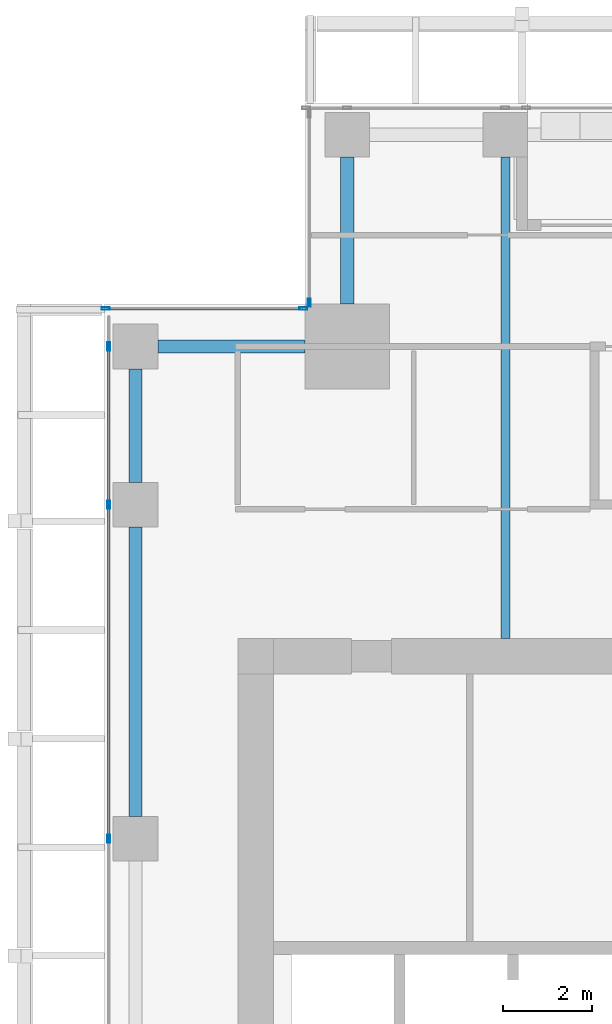
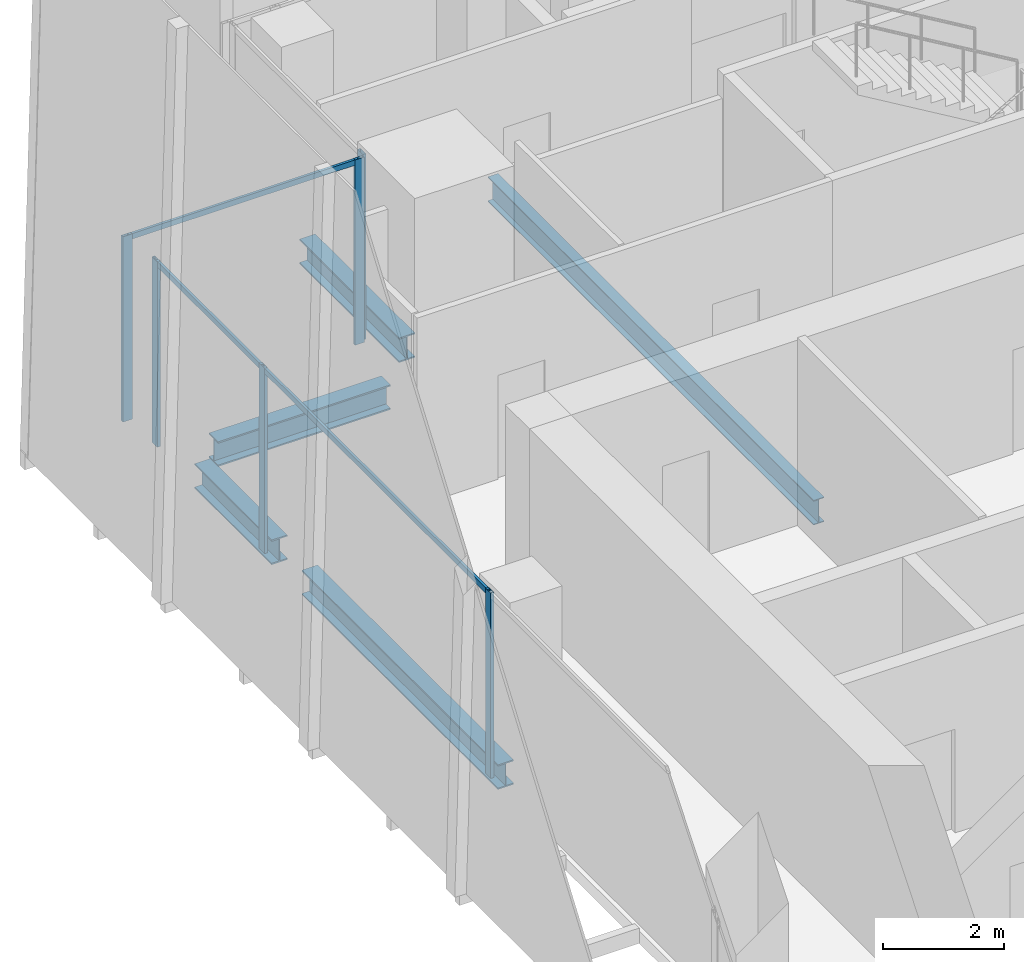
# One storey, part 14 of 35: 9 members, 5 beams, 3 elements without a shape of their own.
"""IFC4 building model written with IfcOpenShell, lengths in metres."""

import ifcopenshell
import ifcopenshell.guid

model = None  # the IFC model being written
_history = None  # IfcOwnerHistory: only IFC2X3 demands one
_inside = {}  # id of a spatial element -> (the spatial element, [elements in it])
_under = {}  # id of a project, library or spatial element -> (it, [spatial elements below it])
_declared = {}  # id of a project -> (the project, [libraries it declares])
_typed = {}  # id of a type object -> (the type object, [elements of that type])
_made_of = {}  # id of a material, layer set ... -> (it, [elements and type objects made of it])


def new_model(schema):
    """Start an empty IFC model of exactly this schema.

    Asked for "IFC4X3", IfcOpenShell would pick the latest addendum, in which some entities
    have other attributes; the version numbers below select the first issue.
    IFC2X3 requires an IfcOwnerHistory on every rooted entity: one is made here for all.
    """
    global model, _history
    if schema == "IFC4X3":
        model = ifcopenshell.file(schema_version=(4, 3, 0, 0))
    else:
        model = ifcopenshell.file(schema=schema)
    _inside.clear()
    _under.clear()
    _declared.clear()
    _typed.clear()
    _made_of.clear()
    _history = None
    if model.schema == "IFC2X3":
        org = make("IfcOrganization", Name="unknown")
        user = make(
            "IfcPersonAndOrganization",
            ThePerson=make("IfcPerson", FamilyName="unknown"),
            TheOrganization=org,
        )
        app = make(
            "IfcApplication",
            ApplicationDeveloper=org,
            Version="unknown",
            ApplicationFullName="unknown",
            ApplicationIdentifier="unknown",
        )
        _history = make(
            "IfcOwnerHistory",
            OwningUser=user,
            OwningApplication=app,
            ChangeAction="ADDED",
            CreationDate=0,
        )
    return model


def make(cls, **values):
    """One entity of the class cls with the attributes given. An attribute that is None is left unset."""
    return model.create_entity(
        cls, **{name: value for name, value in values.items() if value is not None}
    )


def rooted(cls, **values):
    """An entity with a GlobalId (a new one), such as an element, a storey or a relation."""
    return make(cls, GlobalId=ifcopenshell.guid.new(), OwnerHistory=_history, **values)


def si_unit(unit_type, name, prefix=None):
    """IfcSIUnit, for example si_unit("LENGTHUNIT", "METRE", prefix="MILLI")."""
    return make("IfcSIUnit", UnitType=unit_type, Prefix=prefix, Name=name)


def assignment(units):
    """IfcUnitAssignment: the units of a project."""
    return None if units is None else make("IfcUnitAssignment", Units=units)


def point(xyz):
    """IfcCartesianPoint."""
    return None if xyz is None else make("IfcCartesianPoint", Coordinates=xyz)


def direction(xyz):
    """IfcDirection."""
    return None if xyz is None else make("IfcDirection", DirectionRatios=xyz)


def frame(location, z_axis=None, x_axis=None):
    """IfcAxis2Placement3D, a coordinate frame: its origin and axes. An axis left out is left unset."""
    return make(
        "IfcAxis2Placement3D",
        Location=point(location),
        Axis=direction(z_axis),
        RefDirection=direction(x_axis),
    )


def frame_2d(location, x_axis=None):
    """IfcAxis2Placement2D, a coordinate frame in the plane: its origin and x axis."""
    return make(
        "IfcAxis2Placement2D", Location=point(location), RefDirection=direction(x_axis)
    )


def origin():
    """The frame at (0, 0, 0) with its axes left unset."""
    return frame((0.0, 0.0, 0.0))


def origin_2d():
    """The frame at (0, 0) in the plane with its x axis left unset."""
    return frame_2d((0.0, 0.0))


def place(relative_to, where):
    """IfcLocalPlacement: puts the frame where relative to a parent placement (None: the world)."""
    return make(
        "IfcLocalPlacement", PlacementRelTo=relative_to, RelativePlacement=where
    )


def context(
    kind, dimensions, precision=None, world=None, true_north=None, identifier=None
):
    """IfcGeometricRepresentationContext, for example the 3D "Model" context."""
    return make(
        "IfcGeometricRepresentationContext",
        ContextIdentifier=identifier,
        ContextType=kind,
        CoordinateSpaceDimension=dimensions,
        Precision=precision,
        WorldCoordinateSystem=world,
        TrueNorth=true_north,
    )


def subcontext(parent, identifier, kind, view, scale=None):
    """IfcGeometricRepresentationSubContext, for example "Body" below "Model"."""
    return make(
        "IfcGeometricRepresentationSubContext",
        ContextIdentifier=identifier,
        ContextType=kind,
        ParentContext=parent,
        TargetScale=scale,
        TargetView=view,
    )


def project(units=None, contexts=None):
    """IfcProject with its units and contexts."""
    return rooted(
        "IfcProject",
        Name="project",
        RepresentationContexts=contexts,
        UnitsInContext=assignment(units),
    )


def spatial(cls, under=None, at=None, **own):
    """A site, building, storey or space (cls), placed at a placement, below another one or the project."""
    s = rooted(cls, ObjectPlacement=at, **own)
    if under is not None:
        _under.setdefault(under.id(), (under, []))[1].append(s)
    return s


def profile(cls, at=None, kind="AREA", **sizes):
    """A parametric profile (cls). Its sizes go by their IFC names, for example OverallWidth=200.0."""
    return make(cls, ProfileType=kind, Position=at, **sizes)


def hollow_rectangle(**sizes):
    """IfcRectangleHollowProfileDef."""
    return profile("IfcRectangleHollowProfileDef", **sizes)


def i_section(**sizes):
    """IfcIShapeProfileDef."""
    return profile("IfcIShapeProfileDef", **sizes)


def extrude(swept, where, along, depth):
    """IfcExtrudedAreaSolid: the profile swept, set in the frame where, extruded along a direction by depth."""
    return make(
        "IfcExtrudedAreaSolid",
        SweptArea=swept,
        Position=where,
        ExtrudedDirection=direction(along),
        Depth=depth,
    )


def shape(context_of_items, identifier, shape_type, items):
    """IfcShapeRepresentation: the items that make up one representation, for example the "Body"."""
    return make(
        "IfcShapeRepresentation",
        ContextOfItems=context_of_items,
        RepresentationIdentifier=identifier,
        RepresentationType=shape_type,
        Items=items,
    )


def source(mapping_origin, context_of_items, identifier, shape_type, items):
    """IfcRepresentationMap: a shape defined once, which mapped items show again and again."""
    return make(
        "IfcRepresentationMap",
        MappingOrigin=mapping_origin,
        MappedRepresentation=shape(context_of_items, identifier, shape_type, items),
    )


def transform(
    local_origin,
    x_axis=None,
    y_axis=None,
    z_axis=None,
    scale=None,
    scale2=None,
    scale3=None,
    uniform=True,
):
    """IfcCartesianTransformationOperator3D, or its non-uniform kind. x_axis, y_axis, z_axis: its Axis1, 2, 3."""
    if uniform:
        return make(
            "IfcCartesianTransformationOperator3D",
            Axis1=direction(x_axis),
            Axis2=direction(y_axis),
            LocalOrigin=point(local_origin),
            Scale=scale,
            Axis3=direction(z_axis),
        )
    return make(
        "IfcCartesianTransformationOperator3DnonUniform",
        Axis1=direction(x_axis),
        Axis2=direction(y_axis),
        LocalOrigin=point(local_origin),
        Scale=scale,
        Axis3=direction(z_axis),
        Scale2=scale2,
        Scale3=scale3,
    )


def mapped(mapping_source, mapping_target):
    """IfcMappedItem: shows the shape of a source again, moved by a transform."""
    return make(
        "IfcMappedItem", MappingSource=mapping_source, MappingTarget=mapping_target
    )


def material(Name=None, Category=None):
    """IfcMaterial."""
    return make("IfcMaterial", Name=Name, Category=Category)


def material_profile(
    of_material, cross_section, Name=None, Category=None, Priority=None
):
    """IfcMaterialProfile: a cross section and its material."""
    return make(
        "IfcMaterialProfile",
        Name=Name,
        Material=of_material,
        Profile=cross_section,
        Priority=Priority,
        Category=Category,
    )


def profile_set(profiles, Name=None, composite=None):
    """IfcMaterialProfileSet."""
    return make(
        "IfcMaterialProfileSet",
        Name=Name,
        MaterialProfiles=profiles,
        CompositeProfile=composite,
    )


def made_of(thing, what):
    """Note that an element or type object is made of a material, layer set ...; save() writes the relation."""
    if what is not None:
        _made_of.setdefault(what.id(), (what, []))[1].append(thing)
    return thing


def type_object(cls, material=None, **own):
    """A type object (cls), such as IfcWallType, which elements share."""
    return made_of(rooted(cls, **own), material)


def element(
    cls,
    number,
    at=None,
    inside=None,
    cuts=None,
    type_object=None,
    material=None,
    context=None,
    identifier="Body",
    shape_type=None,
    held_by="IfcProductDefinitionShape",
    body=None,
    shapes=None,
    **own,
):
    """One element of the class cls, such as IfcWall. Its Tag is "e" and its number.

    at: its placement. inside: the storey or other place that contains it. cuts: it is an
    opening in that element (IfcRelVoidsElement). A single representation is given by context,
    identifier, shape_type and body (its items); several are given by shapes. held_by: the class
    of the entity that holds the representations. save() writes the other relations.
    """
    e = rooted(cls, Tag="e%d" % number, ObjectPlacement=at, **own)
    if body is not None:
        shapes = [shape(context, identifier, shape_type, body)]
    if shapes is not None:
        e.Representation = make(held_by, Representations=shapes)
    if inside is not None:
        _inside.setdefault(inside.id(), (inside, []))[1].append(e)
    if cuts is not None:
        rooted(
            "IfcRelVoidsElement", RelatingBuildingElement=cuts, RelatedOpeningElement=e
        )
    if type_object is not None:
        _typed.setdefault(type_object.id(), (type_object, []))[1].append(e)
    return made_of(e, material)


def aggregate(whole, parts):
    """IfcRelAggregates: a whole, such as a stair, and the parts it consists of."""
    return rooted("IfcRelAggregates", RelatingObject=whole, RelatedObjects=parts)


def save(model, path):
    """Write the relations noted so far, then the file.

    IfcRelAggregates (storeys below a building ...), IfcRelContainedInSpatialStructure (elements
    in a storey), IfcRelDefinesByType, IfcRelAssociatesMaterial and IfcRelDeclares: one each for
    every whole, place, type object, material and project.
    """
    for whole, parts in _under.values():
        aggregate(whole, parts)
    for where, things in _inside.values():
        rooted(
            "IfcRelContainedInSpatialStructure",
            RelatedElements=things,
            RelatingStructure=where,
        )
    for kind, things in _typed.values():
        rooted("IfcRelDefinesByType", RelatedObjects=things, RelatingType=kind)
    for what, things in _made_of.values():
        rooted("IfcRelAssociatesMaterial", RelatedObjects=things, RelatingMaterial=what)
    for by, libraries in _declared.values():
        rooted("IfcRelDeclares", RelatingContext=by, RelatedDefinitions=libraries)
    model.write(path)


model = new_model("IFC4")

# Units and contexts
model_context = context("Model", 3, precision=1e-05, world=origin(), true_north=direction((0.0, 1.0)))
body_context = subcontext(model_context, "Body", "Model", "MODEL_VIEW")
ifc_project = project(units=[si_unit("LENGTHUNIT", "METRE"), si_unit("AREAUNIT", "SQUARE_METRE"), si_unit("VOLUMEUNIT", "CUBIC_METRE"), si_unit("PLANEANGLEUNIT", "RADIAN"), si_unit("MASSUNIT", "GRAM", prefix="KILO")], contexts=[model_context])

# Site, building, storey
site_placement = place(None, origin())
site = spatial("IfcSite", under=ifc_project, at=site_placement, CompositionType="ELEMENT")
building_placement = place(site_placement, origin())
building = spatial("IfcBuilding", under=site, at=building_placement, Name="Khomas Fold Tower", CompositionType="ELEMENT")
storey_placement = place(building_placement, frame((0.0, 0.0, 188.699951171875)))
storey = spatial("IfcBuildingStorey", under=building, at=storey_placement, Name="L41", CompositionType="ELEMENT", Elevation=188.699951171875)

# Beams
ifc_material_1 = material(Name="Steel S355", Category="steel")
ifc_material_profile_1 = material_profile(ifc_material_1, i_section(OverallWidth=0.300048828125, OverallDepth=0.5, WebThickness=0.014404296875, FlangeThickness=0.028076171875, at=origin_2d()), Name="HE 500 B")
ifc_profile_set_1 = profile_set([ifc_material_profile_1], Name="Steel S355")
beam_type_1 = type_object("IfcBeamType", Name="HE 500 B spandrel SB3", PredefinedType="SPANDREL", material=ifc_profile_set_1)
shared_shape_1 = source(origin(), body_context, "Body", "SweptSolid", [
    extrude(i_section(OverallWidth=0.300048828125, OverallDepth=0.5, WebThickness=0.014404296875, FlangeThickness=0.028076171875, at=origin_2d()), origin(), (0.0, 0.0, 1.0), 2.550048828125),
])
beam_1_placement = place(storey_placement, frame((3.699951171875, 42.5, -0.5), z_axis=(0.0, 1.0, 0.0), x_axis=(-1.0, 0.0, 0.0)))
element("IfcBeam", 1, at=beam_1_placement, inside=storey, type_object=beam_type_1, Name="SB3", PredefinedType="SPANDREL", context=body_context, shape_type="MappedRepresentation", body=[
    mapped(shared_shape_1, transform((0.0, 0.0, 0.0))),
])
shared_shape_2 = source(origin(), body_context, "Body", "SweptSolid", [
    extrude(i_section(OverallWidth=0.300048828125, OverallDepth=0.5, WebThickness=0.014404296875, FlangeThickness=0.028076171875, at=origin_2d()), origin(), (0.0, 0.0, 1.0), 6.5),
])
beam_2_placement = place(storey_placement, frame((3.699951171875, 35.0, -0.5), z_axis=(0.0, 1.0, 0.0), x_axis=(-1.0, 0.0, 0.0)))
element("IfcBeam", 2, at=beam_2_placement, inside=storey, type_object=beam_type_1, Name="SB3", PredefinedType="SPANDREL", context=body_context, shape_type="MappedRepresentation", body=[
    mapped(shared_shape_2, transform((0.0, 0.0, 0.0))),
])
shared_shape_3 = source(origin(), body_context, "Body", "SweptSolid", [
    extrude(i_section(OverallWidth=0.300048828125, OverallDepth=0.5, WebThickness=0.014404296875, FlangeThickness=0.028076171875, at=origin_2d()), origin(), (0.0, 0.0, 1.0), 3.300048828125),
])
for number, where, z_axis, x_axis, name in (
    (3, (8.449951171875, 46.5, -0.5), (0.0, 1.0, 0.0), (-1.0, 0.0, 0.0), "SB3"),
    (4, (4.199951171875, 45.550048828125, -0.5), (1.0, 0.0, 0.0), (0.0, 1.0, 0.0), "SB3"),
):
    element("IfcBeam", number, at=place(storey_placement, frame(where, z_axis=z_axis, x_axis=x_axis)), inside=storey, type_object=beam_type_1, Name=name, PredefinedType="SPANDREL", context=body_context, shape_type="MappedRepresentation", body=[
        mapped(shared_shape_3, transform((0.0, 0.0, 0.0))),
    ])
ifc_material_2 = material(Name="Steel S355", Category="steel")
ifc_material_profile_2 = material_profile(ifc_material_2, i_section(OverallWidth=0.199951171875, OverallDepth=0.5, WebThickness=0.01025390625, FlangeThickness=0.01611328125, at=origin_2d()), Name="IPE 500")
ifc_profile_set_2 = profile_set([ifc_material_profile_2], Name="Steel S355")
beam_type_2 = type_object("IfcBeamType", Name="IPE 500 beam JB5", PredefinedType="BEAM", material=ifc_profile_set_2)
shared_shape_4 = source(origin(), body_context, "Body", "SweptSolid", [
    extrude(i_section(OverallWidth=0.199951171875, OverallDepth=0.5, WebThickness=0.01025390625, FlangeThickness=0.01611328125, at=origin_2d()), origin(), (0.0, 0.0, 1.0), 10.800048828125),
])
beam_3_placement = place(storey_placement, frame((12.0, 39.0, -0.5), z_axis=(0.0, 1.0, 0.0), x_axis=(-1.0, 0.0, 0.0)))
element("IfcBeam", 5, at=beam_3_placement, inside=storey, type_object=beam_type_2, Name="JB5", PredefinedType="BEAM", context=body_context, shape_type="MappedRepresentation", body=[
    mapped(shared_shape_4, transform((0.0, 0.0, 0.0))),
])

# Curtain wall, member
ifc_material_3 = material(Name="Aluminium framed double glazing", Category="aluminium")
curtain_wall_type = type_object("IfcCurtainWallType", Name="SK-Unitised clear-glass wall, office floors CW2", PredefinedType="NOTDEFINED", material=ifc_material_3)
curtain_wall_1_placement = place(storey_placement, origin())
curtain_wall_1 = element("IfcCurtainWall", 6, at=curtain_wall_1_placement, inside=storey, type_object=curtain_wall_type, Name="CW2 corner return L41 07", PredefinedType="NOTDEFINED")
ifc_material_4 = material(Name="Aluminium", Category="aluminium")
ifc_material_profile_3 = material_profile(ifc_material_4, hollow_rectangle(XDim=0.06005859375, YDim=0.179931640625, WallThickness=0.00390625, at=origin_2d()), Name="SK-Unitised clear-glass wall, office floors mullion CW2-M")
ifc_profile_set_3 = profile_set([ifc_material_profile_3], Name="Aluminium")
member_type_1 = type_object("IfcMemberType", Name="SK-Unitised clear-glass wall, office floors mullion CW2-M", PredefinedType="MULLION", material=ifc_profile_set_3)
shared_shape_5 = source(origin(), body_context, "Body", "SweptSolid", [
    extrude(hollow_rectangle(XDim=0.06005859375, YDim=0.179931640625, WallThickness=0.00390625, at=origin_2d()), origin(), (0.0, 0.0, 1.0), 3.75),
])
member_1_placement = place(storey_placement, frame((7.60009765625, 46.530029296875, 0.0), z_axis=(0.0, 0.0, 1.0), x_axis=(1.0, 0.0, 0.0)))
member_1 = element("IfcMember", 7, at=member_1_placement, type_object=member_type_1, Name="CW2 mullion 2", PredefinedType="MULLION", context=body_context, shape_type="MappedRepresentation", body=[
    mapped(shared_shape_5, transform((0.0, 0.0, 0.0))),
])
aggregate(curtain_wall_1, [member_1])

# Curtain wall, members
curtain_wall_2_placement = place(storey_placement, origin())
curtain_wall_2 = element("IfcCurtainWall", 8, at=curtain_wall_2_placement, inside=storey, type_object=curtain_wall_type, Name="CW2 corner return L41 08", PredefinedType="NOTDEFINED")
member_2_placement = place(storey_placement, frame((7.469970703125, 46.39990234375, 0.0), z_axis=(0.0, 0.0, 1.0), x_axis=(0.0, -1.0, 0.0)))
member_2 = element("IfcMember", 9, at=member_2_placement, type_object=member_type_1, Name="CW2 mullion 1", PredefinedType="MULLION", context=body_context, shape_type="MappedRepresentation", body=[
    mapped(shared_shape_5, transform((0.0, 0.0, 0.0))),
])
member_3_placement = place(storey_placement, frame((3.030029296875, 46.39990234375, 0.0), z_axis=(0.0, 0.0, 1.0), x_axis=(0.0, -1.0, 0.0)))
member_3 = element("IfcMember", 10, at=member_3_placement, type_object=member_type_1, Name="CW2 mullion 2", PredefinedType="MULLION", context=body_context, shape_type="MappedRepresentation", body=[
    mapped(shared_shape_5, transform((0.0, 0.0, 0.0))),
])

curtain_wall_3_placement = place(storey_placement, origin())
curtain_wall_3 = element("IfcCurtainWall", 11, at=curtain_wall_3_placement, inside=storey, type_object=curtain_wall_type, Name="CW2 run L41 09-0", PredefinedType="NOTDEFINED")
member_4_placement = place(storey_placement, frame((3.10009765625, 45.550048828125, 0.0), z_axis=(0.0, 0.0, 1.0), x_axis=(1.0, 0.0, 0.0)))
member_4 = element("IfcMember", 12, at=member_4_placement, type_object=member_type_1, Name="CW2 mullion 2", PredefinedType="MULLION", context=body_context, shape_type="MappedRepresentation", body=[
    mapped(shared_shape_5, transform((0.0, 0.0, 0.0))),
])
member_5_placement = place(storey_placement, frame((3.10009765625, 42.0, 0.0), z_axis=(0.0, 0.0, 1.0), x_axis=(1.0, 0.0, 0.0)))
member_5 = element("IfcMember", 13, at=member_5_placement, type_object=member_type_1, Name="CW2 mullion 3", PredefinedType="MULLION", context=body_context, shape_type="MappedRepresentation", body=[
    mapped(shared_shape_5, transform((0.0, 0.0, 0.0))),
])
member_6_placement = place(storey_placement, frame((3.10009765625, 34.5, 0.0), z_axis=(0.0, 0.0, 1.0), x_axis=(1.0, 0.0, 0.0)))
member_6 = element("IfcMember", 14, at=member_6_placement, type_object=member_type_1, Name="CW2 mullion 4", PredefinedType="MULLION", context=body_context, shape_type="MappedRepresentation", body=[
    mapped(shared_shape_5, transform((0.0, 0.0, 0.0))),
])

# Member
ifc_material_5 = material(Name="Aluminium", Category="aluminium")
ifc_material_profile_4 = material_profile(ifc_material_5, hollow_rectangle(XDim=0.050048828125, YDim=0.110107421875, WallThickness=0.00390625, at=origin_2d()), Name="SK-Unitised clear-glass wall, office floors transom CW2-T")
ifc_profile_set_4 = profile_set([ifc_material_profile_4], Name="Aluminium")
member_type_2 = type_object("IfcMemberType", Name="SK-Unitised clear-glass wall, office floors transom CW2-T", PredefinedType="USERDEFINED", material=ifc_profile_set_4)
shared_shape_6 = source(origin(), body_context, "Body", "SweptSolid", [
    extrude(hollow_rectangle(XDim=0.050048828125, YDim=0.110107421875, WallThickness=0.00390625, at=origin_2d()), origin(), (0.0, 0.0, 1.0), 4.3798828125),
])
member_7_placement = place(storey_placement, frame((7.43994140625, 46.39990234375, 3.695068359375), z_axis=(-1.0, 0.0, 0.0), x_axis=(0.0, -1.0, 0.0)))
member_7 = element("IfcMember", 15, at=member_7_placement, type_object=member_type_2, Name="CW2 transom 1", ObjectType="TRANSOM", PredefinedType="USERDEFINED", context=body_context, shape_type="MappedRepresentation", body=[
    mapped(shared_shape_6, transform((0.0, 0.0, 0.0))),
])

aggregate(curtain_wall_2, [member_2, member_3, member_7])

shared_shape_7 = source(origin(), body_context, "Body", "SweptSolid", [
    extrude(hollow_rectangle(XDim=0.050048828125, YDim=0.110107421875, WallThickness=0.00390625, at=origin_2d()), origin(), (0.0, 0.0, 1.0), 3.489990234375),
])
member_8_placement = place(storey_placement, frame((3.10009765625, 45.52001953125, 3.695068359375), z_axis=(0.0, -1.0, 0.0), x_axis=(1.0, 0.0, 0.0)))
member_8 = element("IfcMember", 16, at=member_8_placement, type_object=member_type_2, Name="CW2 transom 2", ObjectType="TRANSOM", PredefinedType="USERDEFINED", context=body_context, shape_type="MappedRepresentation", body=[
    mapped(shared_shape_7, transform((0.0, 0.0, 0.0))),
])

shared_shape_8 = source(origin(), body_context, "Body", "SweptSolid", [
    extrude(hollow_rectangle(XDim=0.050048828125, YDim=0.110107421875, WallThickness=0.00390625, at=origin_2d()), origin(), (0.0, 0.0, 1.0), 7.43994140625),
])
member_9_placement = place(storey_placement, frame((3.10009765625, 41.969970703125, 3.695068359375), z_axis=(0.0, -1.0, 0.0), x_axis=(1.0, 0.0, 0.0)))
member_9 = element("IfcMember", 17, at=member_9_placement, type_object=member_type_2, Name="CW2 transom 3", ObjectType="TRANSOM", PredefinedType="USERDEFINED", context=body_context, shape_type="MappedRepresentation", body=[
    mapped(shared_shape_8, transform((0.0, 0.0, 0.0))),
])

aggregate(curtain_wall_3, [member_4, member_5, member_6, member_8, member_9])

save(model, "model.ifc")
